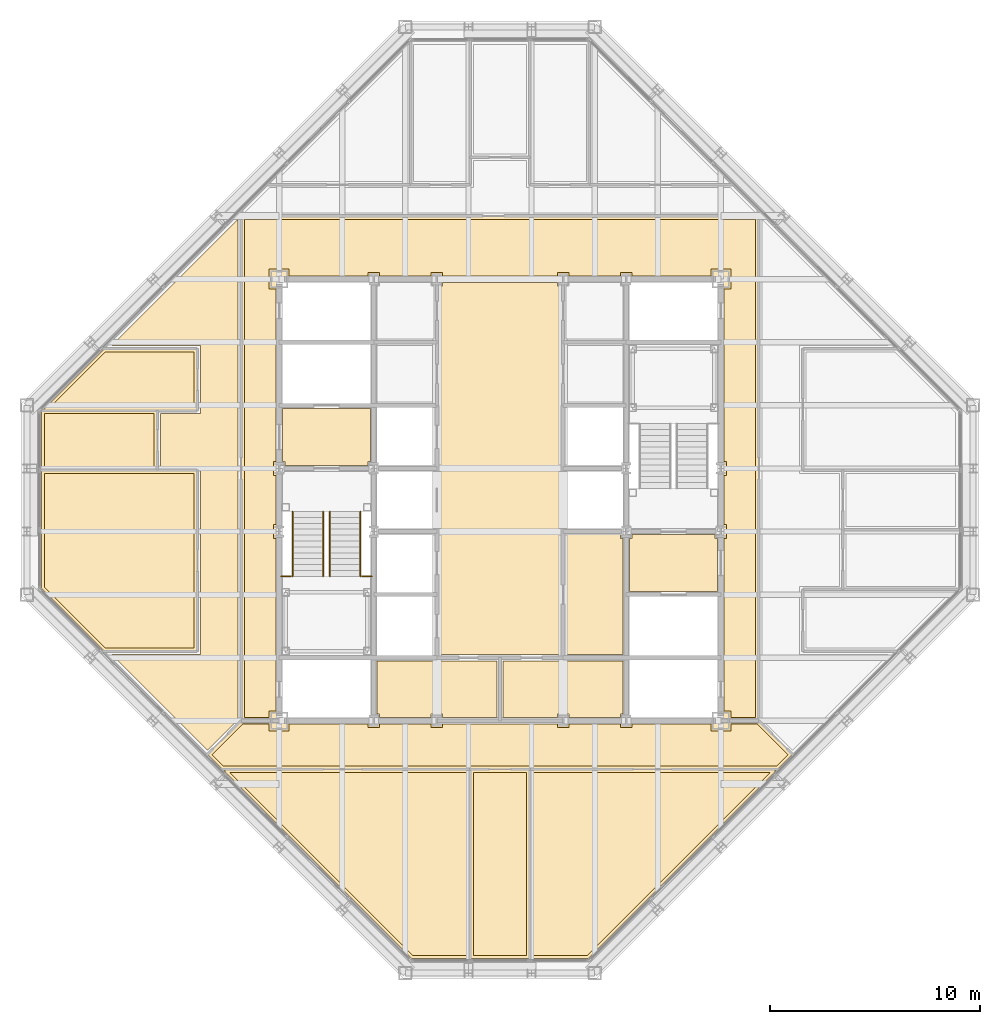
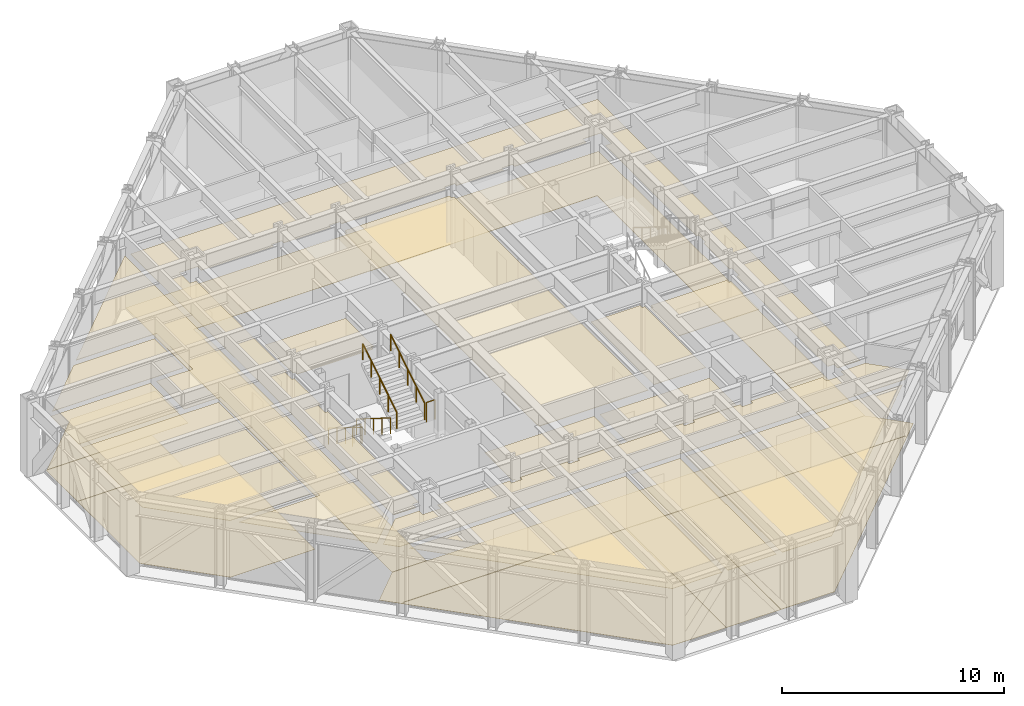
# One storey, part 14 of 15: 23 coverings, 6 railings.
"""IFC4 building model written with IfcOpenShell, lengths in metres."""

from ifc_helpers import new_model, si_unit, direction, frame, origin, origin_2d, place, context, subcontext, project, spatial, polyline, circle, outline, extrude, material, layer, layer_set, type_object, element, save


model = new_model("IFC4")

# Units and contexts
model_context = context("Model", 3, precision=1e-05, world=origin(), true_north=direction((0.0, 1.0)))
body_context = subcontext(model_context, "Body", "Model", "MODEL_VIEW")
ifc_project = project(units=[si_unit("LENGTHUNIT", "METRE"), si_unit("AREAUNIT", "SQUARE_METRE"), si_unit("VOLUMEUNIT", "CUBIC_METRE"), si_unit("PLANEANGLEUNIT", "RADIAN"), si_unit("MASSUNIT", "GRAM", prefix="KILO")], contexts=[model_context])

# Site, building, storey
site_placement = place(None, origin())
site = spatial("IfcSite", under=ifc_project, at=site_placement, CompositionType="ELEMENT")
building_placement = place(site_placement, origin())
building = spatial("IfcBuilding", under=site, at=building_placement, Name="Chuquiago Exchange Tower", CompositionType="ELEMENT")
storey_placement = place(building_placement, frame((0.0, 0.0, 266.39990234375)))
storey = spatial("IfcBuildingStorey", under=building, at=storey_placement, Name="L59", CompositionType="ELEMENT", Elevation=266.39990234375)

# Coverings
ifc_material_1 = material(Name="Mineral fibre tile, 600 x 600, on pale metal grid", Category="mineral fibre")
ifc_layer_1 = layer(ifc_material_1, 0.02001953125)
ifc_layer_set_1 = layer_set([ifc_layer_1], Name="CL1 suspended tile ceiling 20")
covering_type_1 = type_object("IfcCoveringType", Name="CL1 suspended tile ceiling 20", PredefinedType="CEILING", material=ifc_layer_set_1)
covering_1_placement = place(storey_placement, frame((0.0, 0.0, 3.0)))
element("IfcCovering", 1, at=covering_1_placement, inside=storey, type_object=covering_type_1, Name="Ceiling Boardroom", PredefinedType="CEILING", context=body_context, shape_type="SweptSolid", body=[
    extrude(outline(polyline([(20.932861328125, 9.550048828125), (20.932861328125, 0.85009765625), (18.35205078125, 0.85009765625), (9.652099609375, 9.550048828125), (20.932861328125, 9.550048828125)])), origin(), (0.0, 0.0, 1.0), 0.02001953125),
])
covering_2_placement = place(storey_placement, frame((0.0, 0.0, 3.0)))
element("IfcCovering", 2, at=covering_2_placement, inside=storey, type_object=covering_type_1, Name="Ceiling Executive office", PredefinedType="CEILING", context=body_context, shape_type="SweptSolid", body=[
    extrude(outline(polyline([(21.23291015625, 9.550048828125), (23.76708984375, 9.550048828125), (23.76708984375, 0.85009765625), (21.23291015625, 0.85009765625), (21.23291015625, 9.550048828125)])), origin(), (0.0, 0.0, 1.0), 0.02001953125),
])
covering_3_placement = place(storey_placement, frame((0.0, 0.0, 3.0)))
element("IfcCovering", 3, at=covering_3_placement, inside=storey, type_object=covering_type_1, Name="Ceiling Dining room", PredefinedType="CEILING", context=body_context, shape_type="SweptSolid", body=[
    extrude(outline(polyline([(24.067138671875, 0.85009765625), (24.067138671875, 9.550048828125), (35.347900390625, 9.550048828125), (26.64794921875, 0.85009765625), (24.067138671875, 0.85009765625)])), origin(), (0.0, 0.0, 1.0), 0.02001953125),
])
covering_4_placement = place(storey_placement, frame((0.0, 0.0, 3.0)))
element("IfcCovering", 4, at=covering_4_placement, inside=storey, type_object=covering_type_1, Name="Ceiling Executive office", PredefinedType="CEILING", context=body_context, shape_type="SweptSolid", body=[
    extrude(outline(polyline([(7.949951171875, 23.76708984375), (7.949951171875, 15.45703125), (3.744873046875, 15.45703125), (0.85009765625, 18.35205078125), (0.85009765625, 23.76708984375), (7.949951171875, 23.76708984375)])), origin(), (0.0, 0.0, 1.0), 0.02001953125),
])
covering_5_placement = place(storey_placement, frame((0.0, 0.0, 3.0)))
element("IfcCovering", 5, at=covering_5_placement, inside=storey, type_object=covering_type_1, Name="Ceiling Wellness room", PredefinedType="CEILING", context=body_context, shape_type="SweptSolid", body=[
    extrude(outline(polyline([(6.050048828125, 26.6015625), (6.050048828125, 24.067138671875), (0.85009765625, 24.067138671875), (0.85009765625, 26.6015625), (6.050048828125, 26.6015625)])), origin(), (0.0, 0.0, 1.0), 0.02001953125),
])
covering_6_placement = place(storey_placement, frame((0.0, 0.0, 3.0)))
element("IfcCovering", 6, at=covering_6_placement, inside=storey, type_object=covering_type_1, Name="Ceiling Office", PredefinedType="CEILING", context=body_context, shape_type="SweptSolid", body=[
    extrude(outline(polyline([(7.949951171875, 29.54296875), (7.949951171875, 26.901611328125), (1.103515625, 26.901611328125), (3.744873046875, 29.54296875), (7.949951171875, 29.54296875)])), origin(), (0.0, 0.0, 1.0), 0.02001953125),
])
covering_7_placement = place(storey_placement, frame((0.0, 0.0, 3.0)))
element("IfcCovering", 7, at=covering_7_placement, inside=storey, type_object=covering_type_1, Name="Ceiling Executive corridor", PredefinedType="CEILING", context=body_context, shape_type="SweptSolid", body=[
    extrude(outline(polyline([(10.35009765625, 12.14990234375), (10.35009765625, 35.85009765625), (34.64990234375, 35.85009765625), (34.64990234375, 12.14990234375), (33.47509765625, 12.14990234375), (33.47509765625, 12.47509765625), (33.14990234375, 12.47509765625), (33.14990234375, 20.67578125), (33.27490234375, 20.67578125), (33.27490234375, 21.32421875), (33.14990234375, 21.32421875), (33.14990234375, 23.67578125), (33.27490234375, 23.67578125), (33.27490234375, 24.32421875), (33.14990234375, 24.32421875), (33.14990234375, 32.52490234375), (33.47509765625, 32.52490234375), (33.47509765625, 33.47509765625), (32.52490234375, 33.47509765625), (32.52490234375, 33.14990234375), (28.77490234375, 33.14990234375), (28.77490234375, 33.32421875), (28.22509765625, 33.32421875), (28.22509765625, 33.14990234375), (25.77490234375, 33.14990234375), (25.77490234375, 33.32421875), (25.22509765625, 33.32421875), (25.22509765625, 33.14990234375), (19.77490234375, 33.14990234375), (19.77490234375, 33.32421875), (19.22509765625, 33.32421875), (19.22509765625, 33.14990234375), (16.77490234375, 33.14990234375), (16.77490234375, 33.32421875), (16.22509765625, 33.32421875), (16.22509765625, 33.14990234375), (12.47509765625, 33.14990234375), (12.47509765625, 33.47509765625), (11.52490234375, 33.47509765625), (11.52490234375, 32.52490234375), (11.85009765625, 32.52490234375), (11.85009765625, 24.32421875), (11.72509765625, 24.32421875), (11.72509765625, 23.67578125), (11.85009765625, 23.67578125), (11.85009765625, 21.32421875), (11.72509765625, 21.32421875), (11.72509765625, 20.67578125), (11.85009765625, 20.67578125), (11.85009765625, 12.47509765625), (11.52490234375, 12.47509765625), (11.52490234375, 12.14990234375), (10.35009765625, 12.14990234375)])), origin(), (0.0, 0.0, 1.0), 0.02001953125),
])
covering_8_placement = place(storey_placement, frame((0.0, 0.0, 3.0)))
element("IfcCovering", 8, at=covering_8_placement, inside=storey, type_object=covering_type_1, Name="Ceiling Executive reception east", PredefinedType="CEILING", context=body_context, shape_type="SweptSolid", body=[
    extrude(outline(polyline([(10.050048828125, 35.847900390625), (10.050048828125, 12.0625), (8.594482421875, 10.607421875), (4.044921875, 15.156982421875), (8.25, 15.156982421875), (8.25, 24.067138671875), (6.35009765625, 24.067138671875), (6.35009765625, 26.6015625), (8.25, 26.6015625), (8.25, 29.843017578125), (4.044921875, 29.843017578125), (10.050048828125, 35.847900390625)])), origin(), (0.0, 0.0, 1.0), 0.02001953125),
])
covering_9_placement = place(storey_placement, frame((0.0, 0.0, 3.0)))
element("IfcCovering", 9, at=covering_9_placement, inside=storey, type_object=covering_type_1, Name="Ceiling Executive reception south", PredefinedType="CEILING", context=body_context, shape_type="SweptSolid", body=[
    extrude(outline(polyline([(8.807373046875, 10.39453125), (10.2626953125, 11.85009765625), (11.52490234375, 11.85009765625), (11.52490234375, 11.52490234375), (12.47509765625, 11.52490234375), (12.47509765625, 11.85009765625), (16.22509765625, 11.85009765625), (16.22509765625, 11.67578125), (16.77490234375, 11.67578125), (16.77490234375, 11.85009765625), (19.22509765625, 11.85009765625), (19.22509765625, 11.67578125), (19.77490234375, 11.67578125), (19.77490234375, 11.85009765625), (25.22509765625, 11.85009765625), (25.22509765625, 11.67578125), (25.77490234375, 11.67578125), (25.77490234375, 11.85009765625), (28.22509765625, 11.85009765625), (28.22509765625, 11.67578125), (28.77490234375, 11.67578125), (28.77490234375, 11.85009765625), (32.52490234375, 11.85009765625), (32.52490234375, 11.52490234375), (33.47509765625, 11.52490234375), (33.47509765625, 11.85009765625), (34.7373046875, 11.85009765625), (36.192626953125, 10.39453125), (35.64794921875, 9.85009765625), (9.35205078125, 9.85009765625), (8.807373046875, 10.39453125)])), origin(), (0.0, 0.0, 1.0), 0.02001953125),
])
covering_10_placement = place(storey_placement, frame((0.0, 0.0, 3.0)))
element("IfcCovering", 10, at=covering_10_placement, inside=storey, type_object=covering_type_1, Name="Ceiling Archive store", PredefinedType="CEILING", context=body_context, shape_type="SweptSolid", body=[
    extrude(outline(polyline([(25.64990234375, 15.14990234375), (25.64990234375, 20.85009765625), (28.22509765625, 20.85009765625), (28.22509765625, 20.67578125), (28.35009765625, 20.67578125), (28.35009765625, 15.14990234375), (25.64990234375, 15.14990234375)])), origin(), (0.0, 0.0, 1.0), 0.02001953125),
])
ifc_material_2 = material(Name="Moisture resistant plasterboard on metal frame", Category="gypsum")
ifc_layer_2 = layer(ifc_material_2, 0.014892578125)
ifc_layer_set_2 = layer_set([ifc_layer_2], Name="CL2 moisture resistant ceiling 15")
covering_type_2 = type_object("IfcCoveringType", Name="CL2 moisture resistant ceiling 15", PredefinedType="CEILING", material=ifc_layer_set_2)
covering_11_placement = place(storey_placement, frame((0.0, 0.0, 2.60009765625)))
element("IfcCovering", 11, at=covering_11_placement, inside=storey, type_object=covering_type_2, Name="Ceiling Accessible WC", PredefinedType="CEILING", context=body_context, shape_type="SweptSolid", body=[
    extrude(outline(polyline([(25.77490234375, 12.14990234375), (25.77490234375, 12.32421875), (25.22509765625, 12.32421875), (25.22509765625, 12.14990234375), (22.64990234375, 12.14990234375), (22.64990234375, 14.85009765625), (28.35009765625, 14.85009765625), (28.35009765625, 12.32421875), (28.22509765625, 12.32421875), (28.22509765625, 12.14990234375), (25.77490234375, 12.14990234375)])), origin(), (0.0, 0.0, 1.0), 0.014892578125),
])
covering_12_placement = place(storey_placement, frame((0.0, 0.0, 2.60009765625)))
element("IfcCovering", 12, at=covering_12_placement, inside=storey, type_object=covering_type_2, Name="Ceiling Cleaner", PredefinedType="CEILING", context=body_context, shape_type="SweptSolid", body=[
    extrude(outline(polyline([(19.77490234375, 12.14990234375), (19.77490234375, 12.32421875), (19.22509765625, 12.32421875), (19.22509765625, 12.14990234375), (16.77490234375, 12.14990234375), (16.77490234375, 12.32421875), (16.64990234375, 12.32421875), (16.64990234375, 14.85009765625), (22.35009765625, 14.85009765625), (22.35009765625, 12.14990234375), (19.77490234375, 12.14990234375)])), origin(), (0.0, 0.0, 1.0), 0.014892578125),
])
ifc_material_3 = material(Name="Pale metal plank ceiling, perforated", Category="aluminium")
ifc_layer_3 = layer(ifc_material_3, 0.030029296875)
ifc_layer_set_3 = layer_set([ifc_layer_3], Name="CL3 metal plank ceiling 30")
covering_type_3 = type_object("IfcCoveringType", Name="CL3 metal plank ceiling 30", PredefinedType="CEILING", material=ifc_layer_set_3)
covering_13_placement = place(storey_placement, frame((0.0, 0.0, 2.800048828125)))
element("IfcCovering", 13, at=covering_13_placement, inside=storey, type_object=covering_type_3, Name="Ceiling Lift lobby", PredefinedType="CEILING", context=body_context, shape_type="SweptSolid", body=[
    extrude(outline(polyline([(19.64990234375, 15.14990234375), (19.64990234375, 32.67578125), (19.77490234375, 32.67578125), (19.77490234375, 32.85009765625), (25.22509765625, 32.85009765625), (25.22509765625, 32.67578125), (25.35009765625, 32.67578125), (25.35009765625, 15.14990234375), (19.64990234375, 15.14990234375)])), origin(), (0.0, 0.0, 1.0), 0.030029296875),
])
covering_14_placement = place(storey_placement, frame((0.0, 0.0, 2.800048828125)))
element("IfcCovering", 14, at=covering_14_placement, inside=storey, type_object=covering_type_3, Name="Ceiling Firefighting lobby", PredefinedType="CEILING", context=body_context, shape_type="SweptSolid", body=[
    extrude(outline(polyline([(12.27490234375, 24.14990234375), (12.27490234375, 24.32421875), (12.14990234375, 24.32421875), (12.14990234375, 26.85009765625), (16.35009765625, 26.85009765625), (16.35009765625, 24.32421875), (16.22509765625, 24.32421875), (16.22509765625, 24.14990234375), (12.27490234375, 24.14990234375)])), origin(), (0.0, 0.0, 1.0), 0.030029296875),
])
covering_15_placement = place(storey_placement, frame((0.0, 0.0, 2.800048828125)))
element("IfcCovering", 15, at=covering_15_placement, inside=storey, type_object=covering_type_3, Name="Ceiling Firefighting lobby", PredefinedType="CEILING", context=body_context, shape_type="SweptSolid", body=[
    extrude(outline(polyline([(28.64990234375, 18.14990234375), (28.64990234375, 20.67578125), (28.77490234375, 20.67578125), (28.77490234375, 20.85009765625), (32.72509765625, 20.85009765625), (32.72509765625, 20.67578125), (32.85009765625, 20.67578125), (32.85009765625, 18.14990234375), (28.64990234375, 18.14990234375)])), origin(), (0.0, 0.0, 1.0), 0.030029296875),
])
ifc_material_4 = material(Name="Carpet tile, 500 x 500, on the floor slab", Category="textile")
ifc_layer_4 = layer(ifc_material_4, 0.010009765625)
ifc_layer_set_4 = layer_set([ifc_layer_4], Name="FL1 carpet tile 10")
covering_type_4 = type_object("IfcCoveringType", Name="FL1 carpet tile 10", PredefinedType="FLOORING", material=ifc_layer_set_4)
covering_16_placement = place(storey_placement, origin())
element("IfcCovering", 16, at=covering_16_placement, inside=storey, type_object=covering_type_4, Name="Floor finish Boardroom", PredefinedType="FLOORING", context=body_context, shape_type="SweptSolid", body=[
    extrude(outline(polyline([(18.289794921875, 0.699951171875), (9.42431640625, 9.565673828125), (9.42431640625, 9.699951171875), (21.082763671875, 9.699951171875), (21.082763671875, 0.699951171875), (18.289794921875, 0.699951171875)])), origin(), (0.0, 0.0, 1.0), 0.010009765625),
])
covering_17_placement = place(storey_placement, origin())
element("IfcCovering", 17, at=covering_17_placement, inside=storey, type_object=covering_type_4, Name="Floor finish Executive office", PredefinedType="FLOORING", context=body_context, shape_type="SweptSolid", body=[
    extrude(outline(polyline([(21.082763671875, 0.699951171875), (21.082763671875, 9.699951171875), (23.917236328125, 9.699951171875), (23.917236328125, 0.699951171875), (21.082763671875, 0.699951171875)])), origin(), (0.0, 0.0, 1.0), 0.010009765625),
])
covering_18_placement = place(storey_placement, origin())
element("IfcCovering", 18, at=covering_18_placement, inside=storey, type_object=covering_type_4, Name="Floor finish Executive office", PredefinedType="FLOORING", context=body_context, shape_type="SweptSolid", body=[
    extrude(outline(polyline([(0.699951171875, 23.917236328125), (8.10009765625, 23.917236328125), (8.10009765625, 15.30712890625), (3.682861328125, 15.30712890625), (0.699951171875, 18.289794921875), (0.699951171875, 23.917236328125)])), origin(), (0.0, 0.0, 1.0), 0.010009765625),
])
covering_19_placement = place(storey_placement, origin())
element("IfcCovering", 19, at=covering_19_placement, inside=storey, type_object=covering_type_4, Name="Floor finish Wellness room", PredefinedType="FLOORING", context=body_context, shape_type="SweptSolid", body=[
    extrude(outline(polyline([(0.699951171875, 26.710205078125), (0.741455078125, 26.75146484375), (6.199951171875, 26.75146484375), (6.199951171875, 23.917236328125), (0.699951171875, 23.917236328125), (0.699951171875, 26.710205078125)])), origin(), (0.0, 0.0, 1.0), 0.010009765625),
])
covering_20_placement = place(storey_placement, origin())
element("IfcCovering", 20, at=covering_20_placement, inside=storey, type_object=covering_type_4, Name="Floor finish Office", PredefinedType="FLOORING", context=body_context, shape_type="SweptSolid", body=[
    extrude(outline(polyline([(3.682861328125, 29.69287109375), (8.10009765625, 29.69287109375), (8.10009765625, 26.75146484375), (0.741455078125, 26.75146484375), (3.682861328125, 29.69287109375)])), origin(), (0.0, 0.0, 1.0), 0.010009765625),
])
ifc_material_5 = material(Name="Porcelain floor tile, 600 x 600, on adhesive bed", Category="ceramic")
ifc_layer_5 = layer(ifc_material_5, 0.014892578125)
ifc_layer_set_5 = layer_set([ifc_layer_5], Name="FL2 porcelain tile 15")
covering_type_5 = type_object("IfcCoveringType", Name="FL2 porcelain tile 15", PredefinedType="FLOORING", material=ifc_layer_set_5)
covering_21_placement = place(storey_placement, origin())
element("IfcCovering", 21, at=covering_21_placement, inside=storey, type_object=covering_type_5, Name="Floor finish Dining room", PredefinedType="FLOORING", context=body_context, shape_type="SweptSolid", body=[
    extrude(outline(polyline([(26.710205078125, 0.699951171875), (23.917236328125, 0.699951171875), (23.917236328125, 9.699951171875), (35.57568359375, 9.699951171875), (35.57568359375, 9.565673828125), (26.710205078125, 0.699951171875)])), origin(), (0.0, 0.0, 1.0), 0.01513671875),
])
covering_22_placement = place(storey_placement, origin())
element("IfcCovering", 22, at=covering_22_placement, inside=storey, type_object=covering_type_5, Name="Floor finish Executive corridor", PredefinedType="FLOORING", context=body_context, shape_type="SweptSolid", body=[
    extrude(outline(polyline([(12.0, 12.0), (10.199951171875, 12.0), (10.199951171875, 36.0), (34.800048828125, 36.0), (34.800048828125, 12.0), (33.0, 12.0), (33.0, 33.0), (12.0, 33.0), (12.0, 12.0)])), origin(), (0.0, 0.0, 1.0), 0.01513671875),
])
covering_23_placement = place(storey_placement, origin())
element("IfcCovering", 23, at=covering_23_placement, inside=storey, type_object=covering_type_5, Name="Floor finish Executive reception south", PredefinedType="FLOORING", context=body_context, shape_type="SweptSolid", body=[
    extrude(outline(polyline([(35.57568359375, 9.565673828125), (35.57568359375, 9.699951171875), (9.42431640625, 9.699951171875), (9.42431640625, 9.565673828125), (8.59521484375, 10.39453125), (10.200439453125, 12.0), (34.799560546875, 12.0), (36.40478515625, 10.39453125), (35.57568359375, 9.565673828125)])), origin(), (0.0, 0.0, 1.0), 0.01513671875),
])

# Railings
ifc_material_6 = material(Name="Pale metal guard with safety glass infill", Category="glass")
railing_type_1 = type_object("IfcRailingType", Name="GR1 guard 1100", PredefinedType="GUARDRAIL", material=ifc_material_6)
for number, where, name in (
    (24, (12.10009765625, 18.8701171875, 2.10009765625), "Guard ST1 L59 landing 2"),
    (25, (15.945068359375, 18.8701171875, 2.10009765625), "Guard ST1 L59 landing 2"),
):
    element("IfcRailing", number, at=place(storey_placement, frame(where)), inside=storey, type_object=railing_type_1, Name=name, PredefinedType="GUARDRAIL", context=body_context, shape_type="SweptSolid", body=[
        extrude(circle(Radius=0.02392578125, at=origin_2d()), frame((0.0, 0.0, 1.076171875), z_axis=(1.0, 0.0, 0.0), x_axis=(0.0, 1.0, 0.0)), (0.0, 0.0, 1.0), 0.454833984375),
        extrude(circle(Radius=0.02099609375, at=origin_2d()), origin(), (0.0, 0.0, 1.0), 1.052001953125),
        extrude(circle(Radius=0.02099609375, at=origin_2d()), frame((0.454833984375, 0.0, 0.0)), (0.0, 0.0, 1.0), 1.052001953125),
    ])
ifc_material_7 = material(Name="Pale metal handrail", Category="steel")
railing_type_2 = type_object("IfcRailingType", Name="HR1 handrail 900", PredefinedType="HANDRAIL", material=ifc_material_7)
for number, where, name in (
    (26, (12.635009765625, 21.949951171875, 0.175048828125), "Handrail ST1 L59 flight 1"),
    (27, (14.0849609375, 21.949951171875, 0.175048828125), "Handrail ST1 L59 flight 1"),
):
    element("IfcRailing", number, at=place(storey_placement, frame(where)), inside=storey, type_object=railing_type_2, Name=name, PredefinedType="HANDRAIL", context=body_context, shape_type="SweptSolid", body=[
        extrude(circle(Radius=0.02392578125, at=origin_2d()), frame((0.0, 0.0, 0.8759765625), z_axis=(0.0, -0.847979421464, 0.530029150871), x_axis=(1.0, 0.0, 0.0)), (0.0, 0.0, 1.0), 3.632080078125),
        extrude(circle(Radius=0.02099609375, at=origin_2d()), origin(), (0.0, 0.0, 1.0), 0.851806640625),
        extrude(circle(Radius=0.02099609375, at=origin_2d()), frame((0.0, -0.77001953125, 0.481201171875)), (0.0, 0.0, 1.0), 0.851806640625),
        extrude(circle(Radius=0.02099609375, at=origin_2d()), frame((0.0, -1.5400390625, 0.96240234375)), (0.0, 0.0, 1.0), 0.851806640625),
        extrude(circle(Radius=0.02099609375, at=origin_2d()), frame((0.0, -2.309814453125, 1.44384765625)), (0.0, 0.0, 1.0), 0.851806640625),
        extrude(circle(Radius=0.02099609375, at=origin_2d()), frame((0.0, -3.079833984375, 1.925048828125)), (0.0, 0.0, 1.0), 0.851806640625),
    ])
for number, where, name in (
    (28, (15.864990234375, 18.8701171875, 2.275146484375), "Handrail ST1 L59 flight 2"),
    (29, (14.4150390625, 18.8701171875, 2.275146484375), "Handrail ST1 L59 flight 2"),
):
    element("IfcRailing", number, at=place(storey_placement, frame(where)), inside=storey, type_object=railing_type_2, Name=name, PredefinedType="HANDRAIL", context=body_context, shape_type="SweptSolid", body=[
        extrude(circle(Radius=0.02392578125, at=origin_2d()), frame((0.0, 0.0, 0.8759765625), z_axis=(0.0, 0.847979421464, 0.530029150871), x_axis=(-1.0, 0.0, 0.0)), (0.0, 0.0, 1.0), 3.632080078125),
        extrude(circle(Radius=0.02099609375, at=origin_2d()), origin(), (0.0, 0.0, 1.0), 0.851806640625),
        extrude(circle(Radius=0.02099609375, at=origin_2d()), frame((0.0, 0.77001953125, 0.481201171875)), (0.0, 0.0, 1.0), 0.851806640625),
        extrude(circle(Radius=0.02099609375, at=origin_2d()), frame((0.0, 1.5400390625, 0.96240234375)), (0.0, 0.0, 1.0), 0.851806640625),
        extrude(circle(Radius=0.02099609375, at=origin_2d()), frame((0.0, 2.309814453125, 1.44384765625)), (0.0, 0.0, 1.0), 0.851806640625),
        extrude(circle(Radius=0.02099609375, at=origin_2d()), frame((0.0, 3.079833984375, 1.925048828125)), (0.0, 0.0, 1.0), 0.851806640625),
    ])

save(model, "model.ifc")
